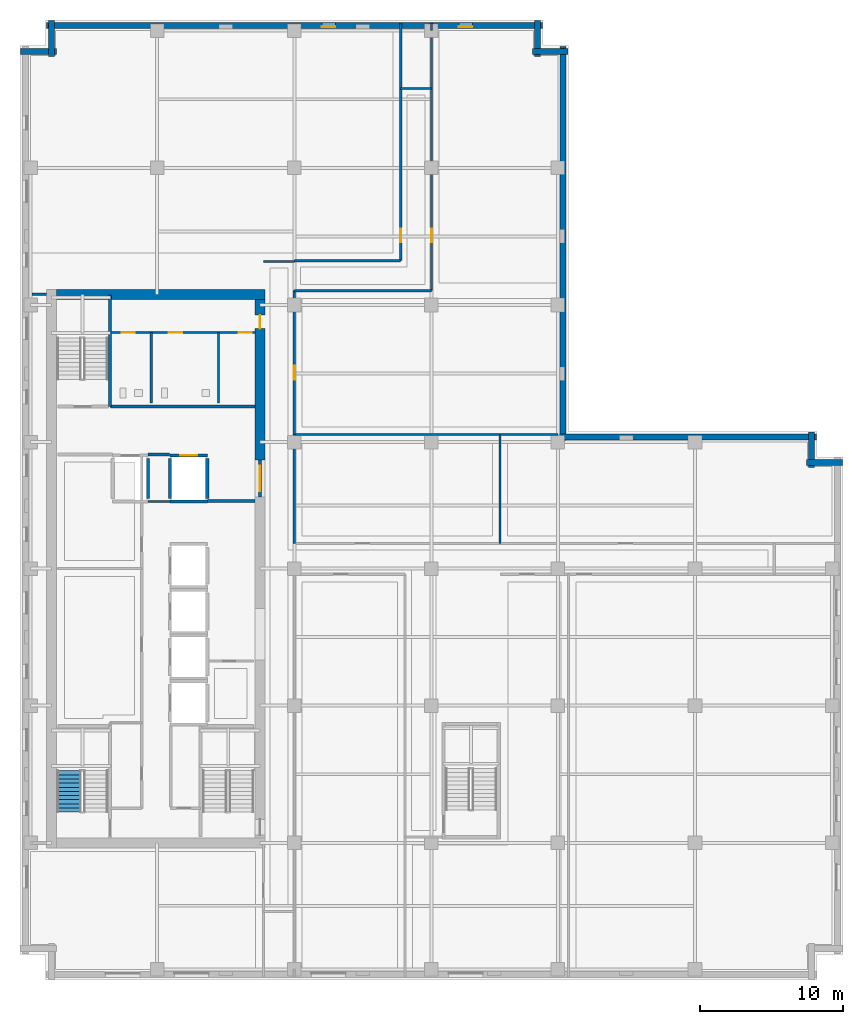
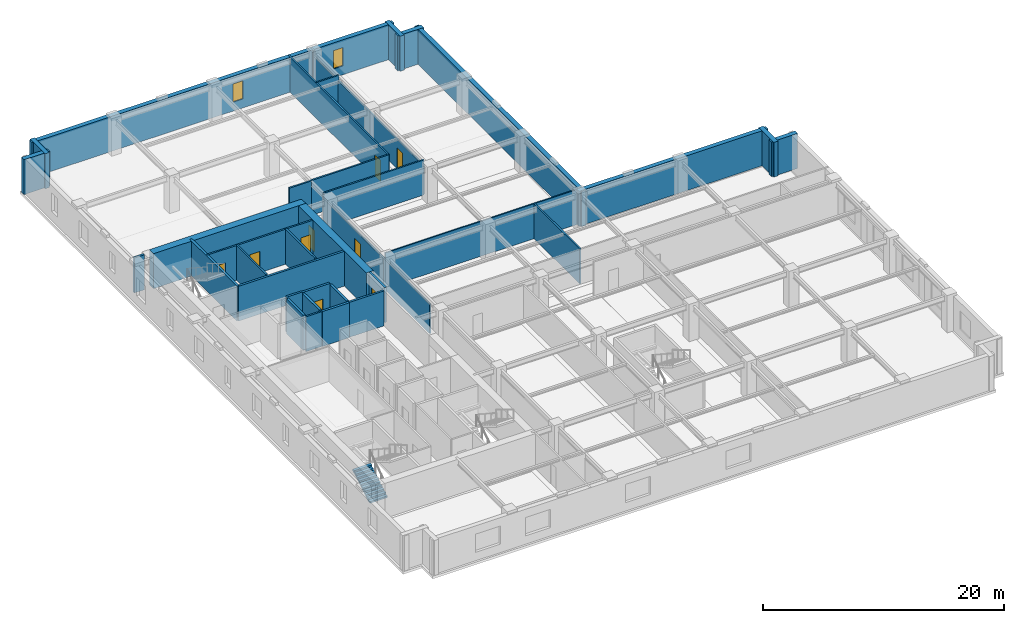
# One storey, part 6 of 12: 37 walls, 9 doors, 2 windows, 1 stair flight, 11 openings, 1 element without a shape of its own.
"""IFC4 building model written with IfcOpenShell, lengths in metres."""

from ifc_helpers import new_model, si_unit, direction, frame, frame_2d, origin, place, context, subcontext, project, spatial, polyline, rectangle, outline, extrude, material, layer, layer_set, type_object, element, fill, aggregate, save


model = new_model("IFC4")

# Units and contexts
model_context = context("Model", 3, precision=1e-05, world=origin(), true_north=direction((0.0, 1.0)))
body_context = subcontext(model_context, "Body", "Model", "MODEL_VIEW")
ifc_project = project(units=[si_unit("LENGTHUNIT", "METRE"), si_unit("AREAUNIT", "SQUARE_METRE"), si_unit("VOLUMEUNIT", "CUBIC_METRE"), si_unit("PLANEANGLEUNIT", "RADIAN"), si_unit("MASSUNIT", "GRAM", prefix="KILO")], contexts=[model_context])

# Site, building, storey
site_placement = place(None, origin())
site = spatial("IfcSite", under=ifc_project, at=site_placement, CompositionType="ELEMENT")
building_placement = place(site_placement, origin())
building = spatial("IfcBuilding", under=site, at=building_placement, Name="Norrvale University Quadrangle", CompositionType="ELEMENT")
storey_placement = place(building_placement, frame((0.0, 0.0, 186.39990234375)))
storey = spatial("IfcBuildingStorey", under=building, at=storey_placement, Name="L47", CompositionType="ELEMENT", Elevation=186.39990234375)

# Walls
ifc_material_1 = material(Name="Buff Norman Clay Brick Masonry", Category="masonry")
ifc_layer_1 = layer(ifc_material_1, 0.419921875, Name="Buff Norman Clay Brick Masonry")
ifc_layer_set_1 = layer_set([ifc_layer_1], Name="Buff Norman Clay Brick Masonry")
wall_type_1 = type_object("IfcWallType", Name="Wall Buff Brick 420", PredefinedType="SOLIDWALL", material=ifc_layer_set_1)
for number, where, z_axis, x_axis, name in (
    (1, (57.56005859375, 36.2099609375, 0.0), (0.0, 0.0, 1.0), (-1.0, 0.0, 0.0), "Exterior Brick Facade Wall L47-05.1"),
    (2, (55.409912109375, 35.860107421875, 0.0), (0.0, 0.0, 1.0), (0.0, 1.0, 0.0), "Exterior Brick Facade Wall L47-06.1"),
):
    element("IfcWall", number, at=place(storey_placement, frame(where, z_axis=z_axis, x_axis=x_axis)), inside=storey, type_object=wall_type_1, Name=name, PredefinedType="SOLIDWALL", context=body_context, shape_type="SweptSolid", body=[
        extrude(rectangle(XDim=2.5, YDim=0.419921875, at=frame_2d((1.25, 0.0))), origin(), (0.0, 0.0, 1.0), 3.5400390625),
    ])
wall_1_placement = place(storey_placement, frame((55.760009765625, 38.010009765625, 0.0), z_axis=(0.0, 0.0, 1.0), x_axis=(-1.0, 0.0, 0.0)))
element("IfcWall", 3, at=wall_1_placement, inside=storey, type_object=wall_type_1, Name="Exterior Brick Facade Wall L47-07.1", PredefinedType="SOLIDWALL", context=body_context, shape_type="SweptSolid", body=[
    extrude(rectangle(XDim=18.10009765625, YDim=0.419921875, at=frame_2d((9.050048828125, 0.0))), origin(), (0.0, 0.0, 1.0), 3.5400390625),
])
wall_2_placement = place(storey_placement, frame((38.010009765625, 37.659912109375, 0.0), z_axis=(0.0, 0.0, 1.0), x_axis=(0.0, 1.0, 0.0)))
element("IfcWall", 4, at=wall_2_placement, inside=storey, type_object=wall_type_1, Name="Exterior Brick Facade Wall L47-08.1", PredefinedType="SOLIDWALL", context=body_context, shape_type="SweptSolid", body=[
    extrude(rectangle(XDim=27.7001953125, YDim=0.419921875, at=frame_2d((13.85009765625, 0.0))), origin(), (0.0, 0.0, 1.0), 3.5400390625),
])
for number, where, z_axis, x_axis, name in (
    (5, (38.360107421875, 65.010009765625, 0.0), (0.0, 0.0, 1.0), (-1.0, 0.0, 0.0), "Exterior Brick Facade Wall L47-09.1"),
    (6, (36.2099609375, 64.659912109375, 0.0), (0.0, 0.0, 1.0), (0.0, 1.0, 0.0), "Exterior Brick Facade Wall L47-10.1"),
):
    element("IfcWall", number, at=place(storey_placement, frame(where, z_axis=z_axis, x_axis=x_axis)), inside=storey, type_object=wall_type_1, Name=name, PredefinedType="SOLIDWALL", context=body_context, shape_type="SweptSolid", body=[
        extrude(rectangle(XDim=2.5, YDim=0.419921875, at=frame_2d((1.25, 0.0))), origin(), (0.0, 0.0, 1.0), 3.5400390625),
    ])

# Wall, openings, windows
wall_3_placement = place(storey_placement, frame((36.56005859375, 66.81005859375, 0.0), z_axis=(0.0, 0.0, 1.0), x_axis=(-1.0, 0.0, 0.0)))
wall_3 = element("IfcWall", 7, at=wall_3_placement, inside=storey, type_object=wall_type_1, Name="Exterior Brick Facade Wall L47-11.1", PredefinedType="SOLIDWALL", context=body_context, shape_type="SweptSolid", body=[
    extrude(rectangle(XDim=34.719970703125, YDim=0.419921875, at=frame_2d((17.35986328125, 0.0))), origin(), (0.0, 0.0, 1.0), 3.5400390625),
])
opening_1_placement = place(wall_3_placement, frame((4.885009765625, 0.0, 0.89990234375)))
opening_1 = element("IfcOpeningElement", 8, at=opening_1_placement, cuts=wall_3, Name="Opening W04", PredefinedType="OPENING", context=body_context, shape_type="SweptSolid", body=[
    extrude(rectangle(XDim=0.949951171875, YDim=1.85009765625, at=frame_2d((0.47509765625, 0.925048828125))), frame((0.0, 0.221923828125, 0.0), z_axis=(0.0, -1.0, 0.0), x_axis=(1.0, 0.0, 0.0)), (0.0, 0.0, 1.0), 0.44384765625),
])
opening_2_placement = place(wall_3_placement, frame((14.485107421875, 0.0, 0.89990234375)))
opening_2 = element("IfcOpeningElement", 9, at=opening_2_placement, cuts=wall_3, Name="Opening W04", PredefinedType="OPENING", context=body_context, shape_type="SweptSolid", body=[
    extrude(rectangle(XDim=0.949951171875, YDim=1.85009765625, at=frame_2d((0.47509765625, 0.925048828125))), frame((0.0, 0.221923828125, 0.0), z_axis=(0.0, -1.0, 0.0), x_axis=(1.0, 0.0, 0.0)), (0.0, 0.0, 1.0), 0.44384765625),
])
ifc_material_2 = material(Name="Triple Low-E Argon Glazing", Category="glass")
window_type = type_object("IfcWindowType", Name="Window Narrow Pier 950x2300", PartitioningType="SINGLE_PANEL", PredefinedType="WINDOW", material=ifc_material_2)
window_1_placement = place(opening_1_placement, origin())
window_1 = element("IfcWindow", 10, at=window_1_placement, inside=storey, type_object=window_type, Name="Window Narrow Pier 950x2300 WIN-L47-E11-1-01", OverallHeight=1.85009765625, OverallWidth=0.949951171875, PartitioningType="SINGLE_PANEL", PredefinedType="WINDOW", context=body_context, shape_type="SweptSolid", body=[
    extrude(rectangle(XDim=0.949951171875, YDim=1.85009765625, at=frame_2d((0.47509765625, 0.925048828125))), frame((0.0, 0.110107421875, 0.0), z_axis=(0.0, -1.0, 0.0), x_axis=(1.0, 0.0, 0.0)), (0.0, 0.0, 1.0), 0.06005859375),
])
fill(opening_1, window_1)
window_2_placement = place(opening_2_placement, origin())
window_2 = element("IfcWindow", 11, at=window_2_placement, inside=storey, type_object=window_type, Name="Window Narrow Pier 950x2300 WIN-L47-E11-1-02", OverallHeight=1.85009765625, OverallWidth=0.949951171875, PartitioningType="SINGLE_PANEL", PredefinedType="WINDOW", context=body_context, shape_type="SweptSolid", body=[
    extrude(rectangle(XDim=0.949951171875, YDim=1.85009765625, at=frame_2d((0.47509765625, 0.925048828125))), frame((0.0, 0.110107421875, 0.0), z_axis=(0.0, -1.0, 0.0), x_axis=(1.0, 0.0, 0.0)), (0.0, 0.0, 1.0), 0.06005859375),
])
fill(opening_2, window_2)

# Walls
for number, where, z_axis, x_axis, name in (
    (12, (2.18994140625, 67.159912109375, 0.0), (0.0, 0.0, 1.0), (0.0, -1.0, 0.0), "Exterior Brick Facade Wall L47-12.1"),
    (13, (2.5400390625, 65.010009765625, 0.0), (0.0, 0.0, 1.0), (-1.0, 0.0, 0.0), "Exterior Brick Facade Wall L47-13.1"),
):
    element("IfcWall", number, at=place(storey_placement, frame(where, z_axis=z_axis, x_axis=x_axis)), inside=storey, type_object=wall_type_1, Name=name, PredefinedType="SOLIDWALL", context=body_context, shape_type="SweptSolid", body=[
        extrude(rectangle(XDim=2.5, YDim=0.419921875, at=frame_2d((1.25, 0.0))), origin(), (0.0, 0.0, 1.0), 3.5400390625),
    ])
ifc_material_3 = material(Name="Concrete C60/75", Category="concrete")
ifc_layer_2 = layer(ifc_material_3, 0.699951171875, Name="Concrete C60/75")
ifc_layer_set_2 = layer_set([ifc_layer_2], Name="Concrete C60/75")
wall_type_2 = type_object("IfcWallType", Name="Wall Core 700", PredefinedType="SHEAR", material=ifc_layer_set_2)
wall_4_placement = place(storey_placement, frame((2.550048828125, 48.0, 0.0), z_axis=(0.0, 0.0, 1.0), x_axis=(1.0, 0.0, 0.0)))
element("IfcWall", 14, at=wall_4_placement, inside=storey, type_object=wall_type_2, Name="Tower Core Shear Wall L47-N", PredefinedType="SHEAR", context=body_context, shape_type="SweptSolid", body=[
    extrude(rectangle(XDim=14.599853515625, YDim=0.699951171875, at=frame_2d((7.2998046875, 0.0))), origin(), (0.0, 0.0, 1.0), 3.5400390625),
])

# Wall, opening, door
wall_5_placement = place(storey_placement, frame((16.800048828125, 36.39990234375, 0.0), z_axis=(0.0, 0.0, 1.0), x_axis=(0.0, 1.0, 0.0)))
wall_5 = element("IfcWall", 15, at=wall_5_placement, inside=storey, type_object=wall_type_2, Name="Tower Core Shear Wall L47-E3", PredefinedType="SHEAR", context=body_context, shape_type="SweptSolid", body=[
    extrude(rectangle(XDim=11.25, YDim=0.699951171875, at=frame_2d((5.625, 0.0))), origin(), (0.0, 0.0, 1.0), 3.5400390625),
])
opening_3_placement = place(wall_5_placement, frame((9.199951171875, 0.0, 0.0)))
opening_3 = element("IfcOpeningElement", 16, at=opening_3_placement, cuts=wall_5, Name="Opening D07", PredefinedType="OPENING", context=body_context, shape_type="SweptSolid", body=[
    extrude(rectangle(XDim=0.949951171875, YDim=2.14990234375, at=frame_2d((0.47509765625, 1.074951171875))), frame((0.0, 0.362060546875, 0.0), z_axis=(0.0, -1.0, 0.0), x_axis=(1.0, 0.0, 0.0)), (0.0, 0.0, 1.0), 0.723876953125),
])
ifc_material_4 = material(Name="Solid-Core Maple Door", Category="wood")
door_type_1 = type_object("IfcDoorType", Name="Door Office 950x2150", OperationType="NOTDEFINED", PredefinedType="DOOR", material=ifc_material_4)
door_1_placement = place(opening_3_placement, origin())
door_1 = element("IfcDoor", 17, at=door_1_placement, inside=storey, type_object=door_type_1, Name="Door Office 950x2150 DR-L47-NECORR", OperationType="SINGLE_SWING_RIGHT", OverallHeight=2.14990234375, OverallWidth=0.949951171875, PredefinedType="DOOR", context=body_context, shape_type="SweptSolid", body=[
    extrude(rectangle(XDim=0.949951171875, YDim=2.14990234375, at=frame_2d((0.47509765625, 1.074951171875))), frame((0.0, 0.02490234375, 0.0), z_axis=(0.0, -1.0, 0.0), x_axis=(1.0, 0.0, 0.0)), (0.0, 0.0, 1.0), 0.050048828125),
])
fill(opening_3, door_1)

# Walls
ifc_material_5 = material(Name="Standard Academic Gypsum Partition")
ifc_layer_3 = layer(ifc_material_5, 0.125, Name="Standard Academic Gypsum Partition")
ifc_layer_set_3 = layer_set([ifc_layer_3], Name="Standard Academic Gypsum Partition")
wall_type_3 = type_object("IfcWallType", Name="Wall Gypsum Academic 125", PredefinedType="PARTITIONING", material=ifc_layer_set_3)
wall_6_placement = place(storey_placement, frame((19.280029296875, 38.179931640625, 0.0), z_axis=(0.0, 0.0, 1.0), x_axis=(1.0, 0.0, 0.0)))
element("IfcWall", 18, at=wall_6_placement, inside=storey, type_object=wall_type_3, Name="Interior Partition WL-L47-ME-N", PredefinedType="PARTITIONING", context=body_context, shape_type="SweptSolid", body=[
    extrude(rectangle(XDim=18.369873046875, YDim=0.125, at=frame_2d((9.18505859375, 0.0))), origin(), (0.0, 0.0, 1.0), 3.5400390625),
])
ifc_material_6 = material(Name="Fire-Rated Gypsum Stud Partition")
ifc_layer_4 = layer(ifc_material_6, 0.14990234375, Name="Fire-Rated Gypsum Stud Partition")
ifc_layer_set_4 = layer_set([ifc_layer_4], Name="Fire-Rated Gypsum Stud Partition")
wall_type_4 = type_object("IfcWallType", Name="Wall Gypsum Corridor 150", PredefinedType="PARTITIONING", material=ifc_layer_set_4)
wall_7_placement = place(storey_placement, frame((8.965087890625, 33.489990234375, 0.0), z_axis=(0.0, 0.0, 1.0), x_axis=(1.0, 0.0, 0.0)))
element("IfcWall", 19, at=wall_7_placement, inside=storey, type_object=wall_type_4, Name="Interior Partition WL-L47-LL3", PredefinedType="PARTITIONING", context=body_context, shape_type="SweptSolid", body=[
    extrude(rectangle(XDim=1.52001953125, YDim=0.14990234375, at=frame_2d((0.760009765625, 0.0))), origin(), (0.0, 0.0, 1.0), 3.5400390625),
])
wall_8_placement = place(storey_placement, frame((17.050048828125, 50.300048828125, 0.0), z_axis=(0.0, 0.0, 1.0), x_axis=(1.0, 0.0, 0.0)))
element("IfcWall", 20, at=wall_8_placement, inside=storey, type_object=wall_type_4, Name="Interior Partition WL-L47-CSP-N", PredefinedType="PARTITIONING", context=body_context, shape_type="SweptSolid", body=[
    extrude(rectangle(XDim=2.14990234375, YDim=0.14990234375, at=frame_2d((1.074951171875, 0.0))), origin(), (0.0, 0.0, 1.0), 3.5400390625),
])
wall_9_placement = place(storey_placement, frame((33.60009765625, 30.550048828125, 0.0), z_axis=(0.0, 0.0, 1.0), x_axis=(0.0, 1.0, 0.0)))
element("IfcWall", 21, at=wall_9_placement, inside=storey, type_object=wall_type_4, Name="Interior Partition WL-L47-MEP01", PredefinedType="PARTITIONING", context=body_context, shape_type="SweptSolid", body=[
    extrude(rectangle(XDim=7.6298828125, YDim=0.14990234375, at=frame_2d((3.81494140625, 0.0))), origin(), (0.0, 0.0, 1.0), 3.5400390625),
])
wall_10_placement = place(storey_placement, frame((19.199951171875, 30.550048828125, 0.0), z_axis=(0.0, 0.0, 1.0), x_axis=(0.0, 1.0, 0.0)))
element("IfcWall", 22, at=wall_10_placement, inside=storey, type_object=wall_type_4, Name="Interior Partition WL-L47-ME-W", PredefinedType="PARTITIONING", context=body_context, shape_type="SweptSolid", body=[
    extrude(rectangle(XDim=7.6298828125, YDim=0.14990234375, at=frame_2d((3.81494140625, 0.0))), origin(), (0.0, 0.0, 1.0), 3.007080078125),
])

# Wall, opening, door
wall_11_placement = place(storey_placement, frame((19.199951171875, 38.179931640625, 0.0), z_axis=(0.0, 0.0, 1.0), x_axis=(0.0, 1.0, 0.0)))
wall_11 = element("IfcWall", 23, at=wall_11_placement, inside=storey, type_object=wall_type_4, Name="Interior Partition WL-L47-MNECW", PredefinedType="PARTITIONING", context=body_context, shape_type="SweptSolid", body=[
    extrude(rectangle(XDim=10.070068359375, YDim=0.14990234375, at=frame_2d((5.03515625, 0.0))), origin(), (0.0, 0.0, 1.0), 3.007080078125),
])
opening_4_placement = place(wall_11_placement, frame((3.85009765625, 0.0, 0.0)))
opening_4 = element("IfcOpeningElement", 24, at=opening_4_placement, cuts=wall_11, Name="Opening D07", PredefinedType="OPENING", context=body_context, shape_type="SweptSolid", body=[
    extrude(rectangle(XDim=0.949951171875, YDim=2.14990234375, at=frame_2d((0.47509765625, 1.074951171875))), frame((0.0, 0.0869140625, 0.0), z_axis=(0.0, -1.0, 0.0), x_axis=(1.0, 0.0, 0.0)), (0.0, 0.0, 1.0), 0.173828125),
])
door_2_placement = place(opening_4_placement, origin())
door_2 = element("IfcDoor", 25, at=door_2_placement, inside=storey, type_object=door_type_1, Name="Door Office 950x2150 DR-L47-MNE01", OperationType="SINGLE_SWING_RIGHT", OverallHeight=2.14990234375, OverallWidth=0.949951171875, PredefinedType="DOOR", context=body_context, shape_type="SweptSolid", body=[
    extrude(rectangle(XDim=0.949951171875, YDim=2.14990234375, at=frame_2d((0.47509765625, 1.074951171875))), frame((0.0, 0.02490234375, 0.0), z_axis=(0.0, -1.0, 0.0), x_axis=(1.0, 0.0, 0.0)), (0.0, 0.0, 1.0), 0.050048828125),
])
fill(opening_4, door_2)

# Walls
wall_12_placement = place(storey_placement, frame((19.199951171875, 48.25, 0.0), z_axis=(0.0, 0.0, 1.0), x_axis=(1.0, 0.0, 0.0)))
element("IfcWall", 26, at=wall_12_placement, inside=storey, type_object=wall_type_4, Name="Interior Partition WL-L47-JOGS", PredefinedType="PARTITIONING", context=body_context, shape_type="SweptSolid", body=[
    extrude(rectangle(XDim=9.60009765625, YDim=0.14990234375, at=frame_2d((4.800048828125, 0.0))), origin(), (0.0, 0.0, 1.0), 3.5400390625),
])
wall_13_placement = place(storey_placement, frame((19.199951171875, 50.35009765625, 0.0), z_axis=(0.0, 0.0, 1.0), x_axis=(1.0, 0.0, 0.0)))
element("IfcWall", 27, at=wall_13_placement, inside=storey, type_object=wall_type_4, Name="Interior Partition WL-L47-JOGN", PredefinedType="PARTITIONING", context=body_context, shape_type="SweptSolid", body=[
    extrude(rectangle(XDim=7.449951171875, YDim=0.14990234375, at=frame_2d((3.72509765625, 0.0))), origin(), (0.0, 0.0, 1.0), 3.5400390625),
])
wall_14_placement = place(storey_placement, frame((26.64990234375, 62.39990234375, 0.0), z_axis=(0.0, 0.0, 1.0), x_axis=(1.0, 0.0, 0.0)))
element("IfcWall", 28, at=wall_14_placement, inside=storey, type_object=wall_type_4, Name="Interior Partition WL-L47-JOGEND", PredefinedType="PARTITIONING", context=body_context, shape_type="SweptSolid", body=[
    extrude(rectangle(XDim=2.150146484375, YDim=0.14990234375, at=frame_2d((1.0751953125, 0.0))), origin(), (0.0, 0.0, 1.0), 3.5400390625),
])

# Wall, opening, door
wall_15_placement = place(storey_placement, frame((28.800048828125, 48.25, 0.0), z_axis=(0.0, 0.0, 1.0), x_axis=(0.0, 1.0, 0.0)))
wall_15 = element("IfcWall", 29, at=wall_15_placement, inside=storey, type_object=wall_type_4, Name="Interior Partition WL-L47-NECW", PredefinedType="PARTITIONING", context=body_context, shape_type="SweptSolid", body=[
    extrude(rectangle(XDim=18.199951171875, YDim=0.14990234375, at=frame_2d((9.10009765625, 0.0))), origin(), (0.0, 0.0, 1.0), 3.007080078125),
])
opening_5_placement = place(wall_15_placement, frame((3.39990234375, 0.0, 0.0)))
opening_5 = element("IfcOpeningElement", 30, at=opening_5_placement, cuts=wall_15, Name="Opening D07", PredefinedType="OPENING", context=body_context, shape_type="SweptSolid", body=[
    extrude(rectangle(XDim=0.949951171875, YDim=2.14990234375, at=frame_2d((0.47509765625, 1.074951171875))), frame((0.0, 0.0869140625, 0.0), z_axis=(0.0, -1.0, 0.0), x_axis=(1.0, 0.0, 0.0)), (0.0, 0.0, 1.0), 0.173828125),
])
door_3_placement = place(opening_5_placement, origin())
door_3 = element("IfcDoor", 31, at=door_3_placement, inside=storey, type_object=door_type_1, Name="Door Office 950x2150 DR-L47-NE01", OperationType="SINGLE_SWING_RIGHT", OverallHeight=2.14990234375, OverallWidth=0.949951171875, PredefinedType="DOOR", context=body_context, shape_type="SweptSolid", body=[
    extrude(rectangle(XDim=0.949951171875, YDim=2.14990234375, at=frame_2d((0.47509765625, 1.074951171875))), frame((0.0, 0.02490234375, 0.0), z_axis=(0.0, -1.0, 0.0), x_axis=(1.0, 0.0, 0.0)), (0.0, 0.0, 1.0), 0.050048828125),
])
fill(opening_5, door_3)

# Wall
wall_16_placement = place(storey_placement, frame((28.800048828125, 66.449951171875, 0.0), z_axis=(0.0, 0.0, 1.0), x_axis=(0.0, 1.0, 0.0)))
element("IfcWall", 32, at=wall_16_placement, inside=storey, type_object=wall_type_4, Name="Interior Partition WL-L47-NECW-B2", PredefinedType="PARTITIONING", context=body_context, shape_type="SweptSolid", body=[
    extrude(rectangle(XDim=0.530029296875, YDim=0.14990234375, at=frame_2d((0.26513671875, 0.0))), origin(), (0.0, 0.0, 1.0), 3.5400390625),
])

# Wall, opening, door
wall_17_placement = place(storey_placement, frame((26.64990234375, 50.35009765625, 0.0), z_axis=(0.0, 0.0, 1.0), x_axis=(0.0, 1.0, 0.0)))
wall_17 = element("IfcWall", 33, at=wall_17_placement, inside=storey, type_object=wall_type_4, Name="Interior Partition WL-L47-NWCW", PredefinedType="PARTITIONING", context=body_context, shape_type="SweptSolid", body=[
    extrude(rectangle(XDim=16.6298828125, YDim=0.14990234375, at=frame_2d((8.31494140625, 0.0))), origin(), (0.0, 0.0, 1.0), 3.5400390625),
])
opening_6_placement = place(wall_17_placement, frame((1.300048828125, 0.0, 0.0)))
opening_6 = element("IfcOpeningElement", 34, at=opening_6_placement, cuts=wall_17, Name="Opening D07", PredefinedType="OPENING", context=body_context, shape_type="SweptSolid", body=[
    extrude(rectangle(XDim=0.949951171875, YDim=2.14990234375, at=frame_2d((0.47509765625, 1.074951171875))), frame((0.0, 0.0869140625, 0.0), z_axis=(0.0, -1.0, 0.0), x_axis=(1.0, 0.0, 0.0)), (0.0, 0.0, 1.0), 0.173828125),
])
door_4_placement = place(opening_6_placement, origin())
door_4 = element("IfcDoor", 35, at=door_4_placement, inside=storey, type_object=door_type_1, Name="Door Office 950x2150 DR-L47-NW01", OperationType="SINGLE_SWING_RIGHT", OverallHeight=2.14990234375, OverallWidth=0.949951171875, PredefinedType="DOOR", context=body_context, shape_type="SweptSolid", body=[
    extrude(rectangle(XDim=0.949951171875, YDim=2.14990234375, at=frame_2d((0.47509765625, 1.074951171875))), frame((0.0, 0.02490234375, 0.0), z_axis=(0.0, -1.0, 0.0), x_axis=(1.0, 0.0, 0.0)), (0.0, 0.0, 1.0), 0.050048828125),
])
fill(opening_6, door_4)

# Wall, openings, doors
ifc_material_7 = material(Name="Sanitary Chase Gypsum Partition")
ifc_layer_5 = layer(ifc_material_7, 0.1650390625, Name="Sanitary Chase Gypsum Partition")
ifc_layer_set_5 = layer_set([ifc_layer_5], Name="Sanitary Chase Gypsum Partition")
wall_type_5 = type_object("IfcWallType", Name="Wall Gypsum Sanitary 165", PredefinedType="PLUMBINGWALL", material=ifc_layer_set_5)
wall_18_placement = place(storey_placement, frame((6.320068359375, 45.320068359375, 0.0), z_axis=(0.0, 0.0, 1.0), x_axis=(1.0, 0.0, 0.0)))
wall_18 = element("IfcWall", 36, at=wall_18_placement, inside=storey, type_object=wall_type_5, Name="Interior Partition WL-L47-WCN", PredefinedType="PLUMBINGWALL", context=body_context, shape_type="SweptSolid", body=[
    extrude(rectangle(XDim=10.1298828125, YDim=0.1650390625, at=frame_2d((5.06494140625, 0.0))), origin(), (0.0, 0.0, 1.0), 3.5400390625),
])
opening_7_placement = place(wall_18_placement, frame((0.800048828125, 0.0, 0.0)))
opening_7 = element("IfcOpeningElement", 37, at=opening_7_placement, cuts=wall_18, Name="Opening D08", PredefinedType="OPENING", context=body_context, shape_type="SweptSolid", body=[
    extrude(rectangle(XDim=0.919921875, YDim=2.14990234375, at=frame_2d((0.4599609375, 1.074951171875))), frame((0.0, 0.094482421875, 0.0), z_axis=(0.0, -1.0, 0.0), x_axis=(1.0, 0.0, 0.0)), (0.0, 0.0, 1.0), 0.18896484375),
])
opening_8_placement = place(wall_18_placement, frame((4.10009765625, 0.0, 0.0)))
opening_8 = element("IfcOpeningElement", 38, at=opening_8_placement, cuts=wall_18, Name="Opening D08", PredefinedType="OPENING", context=body_context, shape_type="SweptSolid", body=[
    extrude(rectangle(XDim=0.919921875, YDim=2.14990234375, at=frame_2d((0.4599609375, 1.074951171875))), frame((0.0, 0.094482421875, 0.0), z_axis=(0.0, -1.0, 0.0), x_axis=(1.0, 0.0, 0.0)), (0.0, 0.0, 1.0), 0.18896484375),
])
opening_9_placement = place(wall_18_placement, frame((8.97998046875, 0.0, 0.0)))
opening_9 = element("IfcOpeningElement", 39, at=opening_9_placement, cuts=wall_18, Name="Opening D08", PredefinedType="OPENING", context=body_context, shape_type="SweptSolid", body=[
    extrude(rectangle(XDim=0.919921875, YDim=2.14990234375, at=frame_2d((0.4599609375, 1.074951171875))), frame((0.0, 0.094482421875, 0.0), z_axis=(0.0, -1.0, 0.0), x_axis=(1.0, 0.0, 0.0)), (0.0, 0.0, 1.0), 0.18896484375),
])
ifc_material_8 = material(Name="Laminate Washroom Door", Category="wood")
door_type_2 = type_object("IfcDoorType", Name="Door Washroom 920x2150", OperationType="NOTDEFINED", PredefinedType="DOOR", material=ifc_material_8)
door_5_placement = place(opening_7_placement, origin())
door_5 = element("IfcDoor", 40, at=door_5_placement, inside=storey, type_object=door_type_2, Name="Door Washroom 920x2150 DR-L47-WC1", OperationType="SINGLE_SWING_LEFT", OverallHeight=2.14990234375, OverallWidth=0.919921875, PredefinedType="DOOR", context=body_context, shape_type="SweptSolid", body=[
    extrude(rectangle(XDim=0.919921875, YDim=2.14990234375, at=frame_2d((0.4599609375, 1.074951171875))), frame((0.0, 0.02490234375, 0.0), z_axis=(0.0, -1.0, 0.0), x_axis=(1.0, 0.0, 0.0)), (0.0, 0.0, 1.0), 0.050048828125),
])
fill(opening_7, door_5)
door_6_placement = place(opening_8_placement, origin())
door_6 = element("IfcDoor", 41, at=door_6_placement, inside=storey, type_object=door_type_2, Name="Door Washroom 920x2150 DR-L47-WC2", OperationType="SINGLE_SWING_RIGHT", OverallHeight=2.14990234375, OverallWidth=0.919921875, PredefinedType="DOOR", context=body_context, shape_type="SweptSolid", body=[
    extrude(rectangle(XDim=0.919921875, YDim=2.14990234375, at=frame_2d((0.4599609375, 1.074951171875))), frame((0.0, 0.02490234375, 0.0), z_axis=(0.0, -1.0, 0.0), x_axis=(1.0, 0.0, 0.0)), (0.0, 0.0, 1.0), 0.050048828125),
])
fill(opening_8, door_6)
door_7_placement = place(opening_9_placement, origin())
door_7 = element("IfcDoor", 42, at=door_7_placement, inside=storey, type_object=door_type_2, Name="Door Washroom 920x2150 DR-L47-WC3", OperationType="SINGLE_SWING_LEFT", OverallHeight=2.14990234375, OverallWidth=0.919921875, PredefinedType="DOOR", context=body_context, shape_type="SweptSolid", body=[
    extrude(rectangle(XDim=0.919921875, YDim=2.14990234375, at=frame_2d((0.4599609375, 1.074951171875))), frame((0.0, 0.02490234375, 0.0), z_axis=(0.0, -1.0, 0.0), x_axis=(1.0, 0.0, 0.0)), (0.0, 0.0, 1.0), 0.050048828125),
])
fill(opening_9, door_7)

# Walls
for number, where, z_axis, x_axis, name in (
    (43, (9.199951171875, 40.39990234375, 0.0), (0.0, 0.0, 1.0), (0.0, 1.0, 0.0), "Interior Partition WL-L47-WCM1"),
    (44, (13.89990234375, 40.39990234375, 0.0), (0.0, 0.0, 1.0), (0.0, 1.0, 0.0), "Interior Partition WL-L47-WCM2"),
):
    element("IfcWall", number, at=place(storey_placement, frame(where, z_axis=z_axis, x_axis=x_axis)), inside=storey, type_object=wall_type_5, Name=name, PredefinedType="PLUMBINGWALL", context=body_context, shape_type="SweptSolid", body=[
        extrude(rectangle(XDim=4.920166015625, YDim=0.1650390625, at=frame_2d((2.4599609375, 0.0))), origin(), (0.0, 0.0, 1.0), 3.5400390625),
    ])
ifc_material_9 = material(Name="Concrete Blockwork 20 MPa Rated Wall", Category="masonry")
ifc_layer_6 = layer(ifc_material_9, 0.199951171875, Name="Concrete Blockwork 20 MPa Rated Wall")
ifc_layer_set_6 = layer_set([ifc_layer_6], Name="Concrete Blockwork 20 MPa Rated Wall")
wall_type_6 = type_object("IfcWallType", Name="Wall Lobby 200", PredefinedType="SOLIDWALL", material=ifc_layer_set_6)
wall_19_placement = place(storey_placement, frame((8.969970703125, 36.780029296875, 0.0), z_axis=(0.0, 0.0, 1.0), x_axis=(1.0, 0.0, 0.0)))
element("IfcWall", 45, at=wall_19_placement, inside=storey, type_object=wall_type_6, Name="Interior Partition WL-L47-FF2", PredefinedType="SOLIDWALL", context=body_context, shape_type="SweptSolid", body=[
    extrude(rectangle(XDim=1.510009765625, YDim=0.199951171875, at=frame_2d((0.7548828125, 0.0))), origin(), (0.0, 0.0, 1.0), 3.5400390625),
])
wall_20_placement = place(storey_placement, frame((13.1201171875, 33.52001953125, 0.0), z_axis=(0.0, 0.0, 1.0), x_axis=(1.0, 0.0, 0.0)))
element("IfcWall", 46, at=wall_20_placement, inside=storey, type_object=wall_type_6, Name="Interior Partition WL-L47-FF3", PredefinedType="SOLIDWALL", context=body_context, shape_type="SweptSolid", body=[
    extrude(rectangle(XDim=3.329833984375, YDim=0.199951171875, at=frame_2d((1.6650390625, 0.0))), origin(), (0.0, 0.0, 1.0), 3.5400390625),
])
wall_21_placement = place(storey_placement, frame((6.320068359375, 40.139892578125, 0.0), z_axis=(0.0, 0.0, 1.0), x_axis=(1.0, 0.0, 0.0)))
element("IfcWall", 47, at=wall_21_placement, inside=storey, type_object=wall_type_6, Name="Interior Partition WL-L47-FF4", PredefinedType="SOLIDWALL", context=body_context, shape_type="SweptSolid", body=[
    extrude(rectangle(XDim=10.1298828125, YDim=0.199951171875, at=frame_2d((5.06494140625, 0.0))), origin(), (0.0, 0.0, 1.0), 3.5400390625),
])

# Wall, opening, door
wall_22_placement = place(storey_placement, frame((16.800048828125, 33.800048828125, 0.0), z_axis=(0.0, 0.0, 1.0), x_axis=(0.0, 1.0, 0.0)))
wall_22 = element("IfcWall", 48, at=wall_22_placement, inside=storey, type_object=wall_type_6, Name="Interior Partition WL-L47-FFP", PredefinedType="SOLIDWALL", context=body_context, shape_type="SweptSolid", body=[
    extrude(rectangle(XDim=2.599853515625, YDim=0.199951171875, at=frame_2d((1.2998046875, 0.0))), origin(), (0.0, 0.0, 1.0), 3.5400390625),
])
opening_10_placement = place(wall_22_placement, frame((0.39990234375, 0.0, 0.0)))
opening_10 = element("IfcOpeningElement", 49, at=opening_10_placement, cuts=wall_22, Name="Opening D03", PredefinedType="OPENING", context=body_context, shape_type="SweptSolid", body=[
    extrude(rectangle(XDim=1.800048828125, YDim=2.199951171875, at=frame_2d((0.89990234375, 1.10009765625))), frame((0.0, 0.112060546875, 0.0), z_axis=(0.0, -1.0, 0.0), x_axis=(1.0, 0.0, 0.0)), (0.0, 0.0, 1.0), 0.223876953125),
])
ifc_material_10 = material(Name="Hollow Steel 350W Fire Door", Category="steel")
door_type_3 = type_object("IfcDoorType", Name="Door Fire Lobby 1800x2200", OperationType="DOUBLE_DOOR_SINGLE_SWING", PredefinedType="DOOR", material=ifc_material_10)
door_8_placement = place(opening_10_placement, origin())
door_8 = element("IfcDoor", 50, at=door_8_placement, inside=storey, type_object=door_type_3, Name="Door Fire Lobby 1800x2200 DR-L47-FFP", OperationType="DOUBLE_DOOR_SINGLE_SWING", OverallHeight=2.199951171875, OverallWidth=1.800048828125, PredefinedType="DOOR", context=body_context, shape_type="SweptSolid", body=[
    extrude(rectangle(XDim=1.800048828125, YDim=2.199951171875, at=frame_2d((0.89990234375, 1.10009765625))), frame((0.0, 0.02490234375, 0.0), z_axis=(0.0, -1.0, 0.0), x_axis=(1.0, 0.0, 0.0)), (0.0, 0.0, 1.0), 0.050048828125),
])
fill(opening_10, door_8)

# Walls
wall_23_placement = place(storey_placement, frame((0.85009765625, 48.0, 0.0), z_axis=(0.0, 0.0, 1.0), x_axis=(1.0, 0.0, 0.0)))
element("IfcWall", 51, at=wall_23_placement, inside=storey, type_object=wall_type_6, Name="Interior Partition WL-L47-CWRET-N", PredefinedType="SOLIDWALL", context=body_context, shape_type="SweptSolid", body=[
    extrude(rectangle(XDim=0.994873046875, YDim=0.199951171875, at=frame_2d((0.49755859375, 0.0))), origin(), (0.0, 0.0, 1.0), 3.5400390625),
])
ifc_material_11 = material(Name="Concrete Blockwork 20 MPa Fire Shaft", Category="masonry")
ifc_layer_7 = layer(ifc_material_11, 0.219970703125, Name="Concrete Blockwork 20 MPa Fire Shaft")
ifc_layer_set_7 = layer_set([ifc_layer_7], Name="Concrete Blockwork 20 MPa Fire Shaft")
wall_type_7 = type_object("IfcWallType", Name="Wall Shaft 220", PredefinedType="SOLIDWALL", material=ifc_layer_set_7)
wall_24_placement = place(storey_placement, frame((6.31005859375, 40.139892578125, 0.0), z_axis=(0.0, 0.0, 1.0), x_axis=(0.0, 1.0, 0.0)))
element("IfcWall", 52, at=wall_24_placement, inside=storey, type_object=wall_type_7, Name="Stair ST-02 East Shaft Wall L47", PredefinedType="SOLIDWALL", context=body_context, shape_type="SweptSolid", body=[
    extrude(rectangle(XDim=7.81005859375, YDim=0.219970703125, at=frame_2d((3.905029296875, 0.0))), origin(), (0.0, 0.0, 1.0), 3.5400390625),
])
for number, where, z_axis, x_axis, name in (
    (53, (8.9599609375, 33.7099609375, 0.0), (0.0, 0.0, 1.0), (0.0, 1.0, 0.0), "Hoistway FFL-01 East Wall L47"),
    (54, (10.489990234375, 33.7099609375, 0.0), (0.0, 0.0, 1.0), (0.0, 1.0, 0.0), "Hoistway FFL-02 West Wall L47"),
    (55, (13.110107421875, 33.7099609375, 0.0), (0.0, 0.0, 1.0), (0.0, 1.0, 0.0), "Hoistway FFL-02 East Wall L47"),
):
    element("IfcWall", number, at=place(storey_placement, frame(where, z_axis=z_axis, x_axis=x_axis)), inside=storey, type_object=wall_type_7, Name=name, PredefinedType="SOLIDWALL", context=body_context, shape_type="SweptSolid", body=[
        extrude(rectangle(XDim=2.780029296875, YDim=0.219970703125, at=frame_2d((1.39013671875, 0.0))), origin(), (0.0, 0.0, 1.0), 3.5400390625),
    ])
wall_25_placement = place(storey_placement, frame((10.489990234375, 33.489990234375, 0.0), z_axis=(0.0, 0.0, 1.0), x_axis=(1.0, 0.0, 0.0)))
element("IfcWall", 56, at=wall_25_placement, inside=storey, type_object=wall_type_7, Name="Hoistway FFL-02 South Wall L47", PredefinedType="SOLIDWALL", context=body_context, shape_type="SweptSolid", body=[
    extrude(rectangle(XDim=2.6201171875, YDim=0.219970703125, at=frame_2d((1.31005859375, 0.0))), origin(), (0.0, 0.0, 1.0), 3.5400390625),
])

# Wall, opening, door
wall_26_placement = place(storey_placement, frame((10.489990234375, 36.7099609375, 0.0), z_axis=(0.0, 0.0, 1.0), x_axis=(1.0, 0.0, 0.0)))
wall_26 = element("IfcWall", 57, at=wall_26_placement, inside=storey, type_object=wall_type_7, Name="Hoistway FFL-02 North Wall L47", PredefinedType="SOLIDWALL", context=body_context, shape_type="SweptSolid", body=[
    extrude(rectangle(XDim=2.6201171875, YDim=0.219970703125, at=frame_2d((1.31005859375, 0.0))), origin(), (0.0, 0.0, 1.0), 3.5400390625),
])
opening_11_placement = place(wall_26_placement, frame((0.7099609375, 0.0, 0.0)))
opening_11 = element("IfcOpeningElement", 58, at=opening_11_placement, cuts=wall_26, Name="Opening LD2", PredefinedType="OPENING", context=body_context, shape_type="SweptSolid", body=[
    extrude(rectangle(XDim=1.199951171875, YDim=2.199951171875, at=frame_2d((0.60009765625, 1.10009765625))), frame((0.0, 0.1220703125, 0.0), z_axis=(0.0, -1.0, 0.0), x_axis=(1.0, 0.0, 0.0)), (0.0, 0.0, 1.0), 0.243896484375),
])
ifc_material_12 = material(Name="Stainless Steel 316L Firefighter Lift Door", Category="steel")
door_type_4 = type_object("IfcDoorType", Name="Door Fire Lift 1200x2200", OperationType="DOUBLE_DOOR_SLIDING", PredefinedType="DOOR", material=ifc_material_12)
door_9_placement = place(opening_11_placement, origin())
door_9 = element("IfcDoor", 59, at=door_9_placement, inside=storey, type_object=door_type_4, Name="Elevator Landing Door DR-L47-FFL-02", OperationType="DOUBLE_DOOR_SLIDING", OverallHeight=2.199951171875, OverallWidth=1.199951171875, PredefinedType="DOOR", context=body_context, shape_type="SweptSolid", body=[
    extrude(rectangle(XDim=1.199951171875, YDim=2.199951171875, at=frame_2d((0.60009765625, 1.10009765625))), frame((0.0, 0.02490234375, 0.0), z_axis=(0.0, -1.0, 0.0), x_axis=(1.0, 0.0, 0.0)), (0.0, 0.0, 1.0), 0.050048828125),
])
fill(opening_11, door_9)

# Stair, stair flight
ifc_material_13 = material(Name="Concrete C40/50", Category="concrete")
stair_type = type_object("IfcStairType", Name="Stair Tower Typ 3800", PredefinedType="TWO_STRAIGHT_RUN_STAIR", material=ifc_material_13)
stair_placement = place(storey_placement, origin())
stair = element("IfcStair", 60, at=stair_placement, inside=storey, type_object=stair_type, Name="Exit Stair ST-01 L47", PredefinedType="TWO_STRAIGHT_RUN_STAIR")
stair_flight_type = type_object("IfcStairFlightType", Name="Flight Typ 1500", PredefinedType="STRAIGHT", material=ifc_material_13)
stair_flight_placement = place(storey_placement, frame((3.429931640625, 11.75, 0.0), z_axis=(0.0, 0.0, 1.0), x_axis=(0.0, 1.0, 0.0)))
stair_flight = element("IfcStairFlight", 61, at=stair_flight_placement, type_object=stair_flight_type, Name="Exit Stair ST-01 L47 Lower Flight", NumberOfRisers=11, NumberOfTreads=10, PredefinedType="STRAIGHT", RiserHeight=0.172727, TreadLength=0.29, context=body_context, shape_type="SweptSolid", body=[
    extrude(outline(polyline([(0.0, 0.0), (0.0, 0.172607421875), (0.2900390625, 0.172607421875), (0.2900390625, 0.345458984375), (0.580078125, 0.345458984375), (0.580078125, 0.51806640625), (0.8701171875, 0.51806640625), (0.8701171875, 0.69091796875), (1.159912109375, 0.69091796875), (1.159912109375, 0.863525390625), (1.449951171875, 0.863525390625), (1.449951171875, 1.036376953125), (1.739990234375, 1.036376953125), (1.739990234375, 1.208984375), (2.030029296875, 1.208984375), (2.030029296875, 1.3818359375), (2.320068359375, 1.3818359375), (2.320068359375, 1.554443359375), (2.610107421875, 1.554443359375), (2.610107421875, 1.727294921875), (2.89990234375, 1.727294921875), (2.89990234375, 1.89990234375), (2.89990234375, 1.552734375), (0.29296875, 0.0), (0.0, 0.0)])), frame((0.0, 0.83984375, 0.0), z_axis=(0.0, -1.0, 0.0), x_axis=(1.0, 0.0, 0.0)), (0.0, 0.0, 1.0), 1.679931640625),
])
aggregate(stair, [stair_flight])

save(model, "model.ifc")
